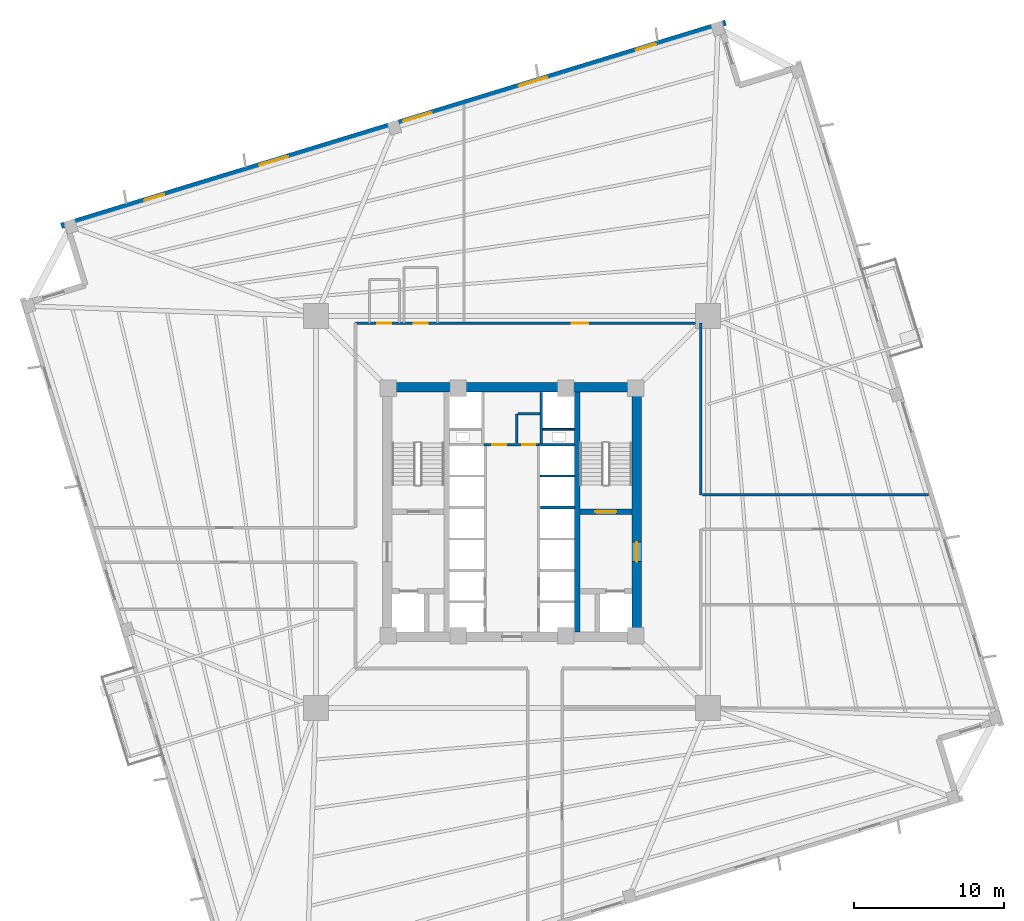
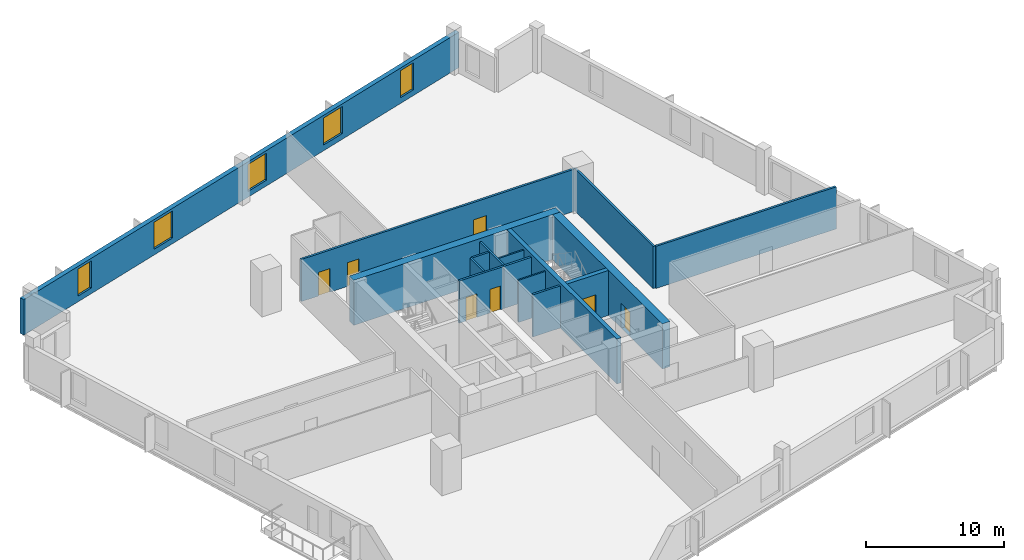
# One storey, part 5 of 9: 16 walls, 7 doors, 5 windows, 12 openings.
"""IFC4 building model written with IfcOpenShell, lengths in metres."""

from ifc_helpers import new_model, si_unit, direction, frame, frame_2d, origin, place, context, subcontext, project, spatial, rectangle, extrude, source, transform, mapped, material, layer, layer_set, type_object, element, fill, save


model = new_model("IFC4")

# Units and contexts
model_context = context("Model", 3, precision=1e-05, world=origin(), true_north=direction((0.0, 1.0)))
body_context = subcontext(model_context, "Body", "Model", "MODEL_VIEW")
ifc_project = project(units=[si_unit("LENGTHUNIT", "METRE"), si_unit("AREAUNIT", "SQUARE_METRE"), si_unit("VOLUMEUNIT", "CUBIC_METRE"), si_unit("PLANEANGLEUNIT", "RADIAN"), si_unit("MASSUNIT", "GRAM", prefix="KILO"), si_unit("THERMODYNAMICTEMPERATUREUNIT", "KELVIN")], contexts=[model_context])

# Site, building, storey
site_placement = place(None, origin())
site = spatial("IfcSite", under=ifc_project, at=site_placement, CompositionType="ELEMENT")
building_placement = place(site_placement, origin())
building = spatial("IfcBuilding", under=site, at=building_placement, Name="Kosmvard Interchange Tower", CompositionType="ELEMENT")
storey_placement = place(building_placement, frame((0.0, 0.0, 95.199951171875)))
storey = spatial("IfcBuildingStorey", under=building, at=storey_placement, Name="L22", CompositionType="ELEMENT", Elevation=95.199951171875)

# Walls
ifc_material_1 = material(Name="Fire-rated gypsum partition system")
ifc_layer_1 = layer(ifc_material_1, 0.159912109375, Name="Fire-rated gypsum partition system")
ifc_layer_set_1 = layer_set([ifc_layer_1], Name="Fire-rated gypsum partition system")
wall_type_1 = type_object("IfcWallType", Name="Core Compartment & Shuttle Lobby Partition 160", PredefinedType="PARTITIONING", material=ifc_layer_set_1)
wall_1_placement = place(storey_placement, frame((1.9599609375, 4.580078125, 0.0), z_axis=(0.0, 0.0, 1.0), x_axis=(0.0, 1.0, 0.0)))
element("IfcWall", 1, at=wall_1_placement, inside=storey, type_object=wall_type_1, Name="L22 North Core East Wall", PredefinedType="PARTITIONING", context=body_context, shape_type="SweptSolid", body=[
    extrude(rectangle(XDim=3.39990234375, YDim=0.159912109375, at=frame_2d((1.699951171875, 0.0))), origin(), (0.0, 0.0, 1.0), 3.739990234375),
])
ifc_material_2 = material(Name="Concrete blockwork masonry", Category="masonry")
ifc_layer_2 = layer(ifc_material_2, 0.159912109375, Name="Concrete blockwork masonry")
ifc_layer_set_2 = layer_set([ifc_layer_2], Name="Concrete blockwork masonry")
wall_type_2 = type_object("IfcWallType", Name="Core Enclosure Split Wall 160", PredefinedType="PARTITIONING", material=ifc_layer_set_2)
wall_2_placement = place(storey_placement, frame((0.320068359375, 4.60009765625, 0.0), z_axis=(0.0, 0.0, 1.0), x_axis=(0.0, 1.0, 0.0)))
element("IfcWall", 2, at=wall_2_placement, inside=storey, type_object=wall_type_2, Name="L22 Core K3 L-Wall 1", PredefinedType="PARTITIONING", context=body_context, shape_type="SweptSolid", body=[
    extrude(rectangle(XDim=1.949951171875, YDim=0.159912109375, at=frame_2d((0.97509765625, 0.0))), origin(), (0.0, 0.0, 1.0), 3.739990234375),
])
wall_3_placement = place(storey_placement, frame((0.39990234375, 6.550048828125, 0.0), z_axis=(0.0, 0.0, 1.0), x_axis=(1.0, 0.0, 0.0)))
element("IfcWall", 3, at=wall_3_placement, inside=storey, type_object=wall_type_2, Name="L22 Core K3 L-Wall 2", PredefinedType="PARTITIONING", context=body_context, shape_type="SweptSolid", body=[
    extrude(rectangle(XDim=1.460205078125, YDim=0.159912109375, at=frame_2d((0.72998046875, 0.0))), origin(), (0.0, 0.0, 1.0), 3.739990234375),
])

# Wall, openings, doors
ifc_layer_3 = layer(ifc_material_1, 0.179931640625, Name="Fire-rated gypsum partition system")
ifc_layer_set_3 = layer_set([ifc_layer_3], Name="Fire-rated gypsum partition system")
wall_type_3 = type_object("IfcWallType", Name="Corridor & Hotel Compartment Partition 180", PredefinedType="PARTITIONING", material=ifc_layer_set_3)
wall_4_placement = place(storey_placement, frame((-1.8798828125, 4.489990234375, 0.0), z_axis=(0.0, 0.0, 1.0), x_axis=(1.0, 0.0, 0.0)))
wall_4 = element("IfcWall", 4, at=wall_4_placement, inside=storey, type_object=wall_type_3, Name="L22 Lift Lobby North Partition", PredefinedType="PARTITIONING", context=body_context, shape_type="SweptSolid", body=[
    extrude(rectangle(XDim=3.759765625, YDim=0.179931640625, at=frame_2d((1.8798828125, 0.0))), origin(), (0.0, 0.0, 1.0), 3.739990234375),
])
opening_1_placement = place(wall_4_placement, frame((0.550048828125, 0.0, 0.0)))
opening_1 = element("IfcOpeningElement", 5, at=opening_1_placement, cuts=wall_4, Name="Opening L22-KD1", PredefinedType="OPENING", context=body_context, shape_type="SweptSolid", body=[
    extrude(rectangle(XDim=0.949951171875, YDim=2.10009765625, at=frame_2d((0.47509765625, 1.050048828125))), frame((0.0, 0.10009765625, 0.0), z_axis=(0.0, -1.0, 0.0), x_axis=(1.0, 0.0, 0.0)), (0.0, 0.0, 1.0), 0.199951171875),
])
opening_2_placement = place(wall_4_placement, frame((2.56005859375, 0.0, 0.0)))
opening_2 = element("IfcOpeningElement", 6, at=opening_2_placement, cuts=wall_4, Name="Opening L22-KD2", PredefinedType="OPENING", context=body_context, shape_type="SweptSolid", body=[
    extrude(rectangle(XDim=0.8798828125, YDim=2.10009765625, at=frame_2d((0.43994140625, 1.050048828125))), frame((0.0, 0.10009765625, 0.0), z_axis=(0.0, -1.0, 0.0), x_axis=(1.0, 0.0, 0.0)), (0.0, 0.0, 1.0), 0.199951171875),
])
ifc_material_3 = material(Name="Painted fire-rated timber leaf", Category="wood")
door_type_1 = type_object("IfcDoorType", Name="Core Service Fire Door 950x2100 EI30", OperationType="NOTDEFINED", PredefinedType="DOOR", material=ifc_material_3)
shared_shape_1 = source(origin(), body_context, "Body", "SweptSolid", [
    extrude(rectangle(XDim=0.949951171875, YDim=2.10009765625, at=frame_2d((0.47509765625, 1.050048828125))), frame((0.0, 0.02490234375, 0.0), z_axis=(0.0, -1.0, 0.0), x_axis=(1.0, 0.0, 0.0)), (0.0, 0.0, 1.0), 0.050048828125),
])
door_1_placement = place(opening_1_placement, origin())
door_1 = element("IfcDoor", 7, at=door_1_placement, inside=storey, type_object=door_type_1, Name="L22 Core Archive Store Door", OperationType="SINGLE_SWING_LEFT", OverallHeight=2.10009765625, OverallWidth=0.949951171875, PredefinedType="DOOR", context=body_context, shape_type="MappedRepresentation", body=[
    mapped(shared_shape_1, transform((0.0, 0.0, 0.0), scale=1.0)),
])
fill(opening_1, door_1)
door_type_2 = type_object("IfcDoorType", Name="Core Cupboard Fire Door 880x2100 EI30", OperationType="NOTDEFINED", PredefinedType="DOOR", material=ifc_material_3)
shared_shape_2 = source(origin(), body_context, "Body", "SweptSolid", [
    extrude(rectangle(XDim=0.8798828125, YDim=2.10009765625, at=frame_2d((0.43994140625, 1.050048828125))), frame((0.0, 0.02490234375, 0.0), z_axis=(0.0, -1.0, 0.0), x_axis=(1.0, 0.0, 0.0)), (0.0, 0.0, 1.0), 0.050048828125),
])
door_2_placement = place(opening_2_placement, origin())
door_2 = element("IfcDoor", 8, at=door_2_placement, inside=storey, type_object=door_type_2, Name="L22 Core Supplies Cupboard Door", OperationType="SINGLE_SWING_RIGHT", OverallHeight=2.10009765625, OverallWidth=0.8798828125, PredefinedType="DOOR", context=body_context, shape_type="MappedRepresentation", body=[
    mapped(shared_shape_2, transform((0.0, 0.0, 0.0), scale=1.0)),
])
fill(opening_2, door_2)

wall_5_placement = place(storey_placement, frame((-10.449951171875, 12.60009765625, 0.0), z_axis=(0.0, 0.0, 1.0), x_axis=(1.0, 0.0, 0.0)))
wall_5 = element("IfcWall", 9, at=wall_5_placement, inside=storey, type_object=wall_type_3, Name="L22 Corridor Wall CN", PredefinedType="PARTITIONING", context=body_context, shape_type="SweptSolid", body=[
    extrude(rectangle(XDim=23.050048828125, YDim=0.179931640625, at=frame_2d((11.52490234375, 0.0))), origin(), (0.0, 0.0, 1.0), 3.739990234375),
])
opening_3_placement = place(wall_5_placement, frame((1.455078125, 0.0, 0.0)))
opening_3 = element("IfcOpeningElement", 10, at=opening_3_placement, cuts=wall_5, Name="Opening L22-D01", PredefinedType="OPENING", context=body_context, shape_type="SweptSolid", body=[
    extrude(rectangle(XDim=0.949951171875, YDim=2.10009765625, at=frame_2d((0.47509765625, 1.050048828125))), frame((0.0, 0.10009765625, 0.0), z_axis=(0.0, -1.0, 0.0), x_axis=(1.0, 0.0, 0.0)), (0.0, 0.0, 1.0), 0.199951171875),
])
opening_4_placement = place(wall_5_placement, frame((3.879150390625, 0.0, 0.0)))
opening_4 = element("IfcOpeningElement", 11, at=opening_4_placement, cuts=wall_5, Name="Opening L22-D02", PredefinedType="OPENING", context=body_context, shape_type="SweptSolid", body=[
    extrude(rectangle(XDim=0.949951171875, YDim=2.10009765625, at=frame_2d((0.47509765625, 1.050048828125))), frame((0.0, 0.10009765625, 0.0), z_axis=(0.0, -1.0, 0.0), x_axis=(1.0, 0.0, 0.0)), (0.0, 0.0, 1.0), 0.199951171875),
])
opening_5_placement = place(wall_5_placement, frame((14.435546875, 0.0, 0.0)))
opening_5 = element("IfcOpeningElement", 12, at=opening_5_placement, cuts=wall_5, Name="Opening L22-D04", PredefinedType="OPENING", context=body_context, shape_type="SweptSolid", body=[
    extrude(rectangle(XDim=1.10009765625, YDim=2.199951171875, at=frame_2d((0.550048828125, 1.10009765625))), frame((0.0, 0.10009765625, 0.0), z_axis=(0.0, -1.0, 0.0), x_axis=(1.0, 0.0, 0.0)), (0.0, 0.0, 1.0), 0.199951171875),
])
ifc_material_4 = material(Name="Laminated moisture-resistant timber", Category="wood")
door_type_3 = type_object("IfcDoorType", Name="Accessible Washroom Door 950x2100", OperationType="NOTDEFINED", PredefinedType="DOOR", material=ifc_material_4)
door_3_placement = place(opening_3_placement, origin())
door_3 = element("IfcDoor", 13, at=door_3_placement, inside=storey, type_object=door_type_3, Name="L22 Accessible Toilet Door", OperationType="SINGLE_SWING_LEFT", OverallHeight=2.10009765625, OverallWidth=0.949951171875, PredefinedType="DOOR", context=body_context, shape_type="MappedRepresentation", body=[
    mapped(shared_shape_1, transform((0.0, 0.0, 0.0), scale=1.0)),
])
fill(opening_3, door_3)
door_4_placement = place(opening_4_placement, origin())
door_4 = element("IfcDoor", 14, at=door_4_placement, inside=storey, type_object=door_type_3, Name="L22 Public Floor Washroom Door", OperationType="SINGLE_SWING_RIGHT", OverallHeight=2.10009765625, OverallWidth=0.949951171875, PredefinedType="DOOR", context=body_context, shape_type="MappedRepresentation", body=[
    mapped(shared_shape_1, transform((0.0, 0.0, 0.0), scale=1.0)),
])
fill(opening_4, door_4)
ifc_material_5 = material(Name="Engineered oak fire-rated timber", Category="wood")
door_type_4 = type_object("IfcDoorType", Name="Office Suite Entrance Door 1100x2200 FD30S", OperationType="NOTDEFINED", PredefinedType="DOOR", material=ifc_material_5)
shared_shape_3 = source(origin(), body_context, "Body", "SweptSolid", [
    extrude(rectangle(XDim=1.10009765625, YDim=2.199951171875, at=frame_2d((0.550048828125, 1.10009765625))), frame((0.0, 0.02490234375, 0.0), z_axis=(0.0, -1.0, 0.0), x_axis=(1.0, 0.0, 0.0)), (0.0, 0.0, 1.0), 0.050048828125),
])
door_5_placement = place(opening_5_placement, origin())
door_5 = element("IfcDoor", 15, at=door_5_placement, inside=storey, type_object=door_type_4, Name="L22 Corporate Media Club Door", OperationType="SINGLE_SWING_RIGHT", OverallHeight=2.199951171875, OverallWidth=1.10009765625, PredefinedType="DOOR", context=body_context, shape_type="MappedRepresentation", body=[
    mapped(shared_shape_3, transform((0.0, 0.0, 0.0), scale=1.0)),
])
fill(opening_5, door_5)

# Walls
wall_6_placement = place(storey_placement, frame((12.60009765625, 1.14990234375, 0.0), z_axis=(0.0, 0.0, 1.0), x_axis=(0.0, 1.0, 0.0)))
element("IfcWall", 16, at=wall_6_placement, inside=storey, type_object=wall_type_3, Name="L22 Corridor Wall CEN", PredefinedType="PARTITIONING", context=body_context, shape_type="SweptSolid", body=[
    extrude(rectangle(XDim=11.4501953125, YDim=0.179931640625, at=frame_2d((5.72509765625, 0.0))), origin(), (0.0, 0.0, 1.0), 3.739990234375),
])
wall_7_placement = place(storey_placement, frame((12.699951171875, 1.14990234375, 0.0), z_axis=(0.0, 0.0, 1.0), x_axis=(1.0, 0.0, 0.0)))
element("IfcWall", 17, at=wall_7_placement, inside=storey, type_object=wall_type_3, Name="L22 Corridor Wall SEN", PredefinedType="PARTITIONING", context=body_context, shape_type="SweptSolid", body=[
    extrude(rectangle(XDim=15.1142578125, YDim=0.179931640625, at=frame_2d((7.55712890625, 0.0))), origin(), (0.0, 0.0, 1.0), 3.739990234375),
])

# Wall, openings, windows
ifc_material_6 = material(Name="Precast concrete C45/55", Category="concrete")
ifc_layer_4 = layer(ifc_material_6, 0.3798828125, Name="Precast concrete C45/55")
ifc_layer_set_4 = layer_set([ifc_layer_4], Name="Precast concrete C45/55")
wall_type_4 = type_object("IfcWallType", Name="Lower Tower Precast Pier Wall 380 C45/55", PredefinedType="STANDARD", material=ifc_layer_set_4)
wall_8_placement = place(storey_placement, frame((14.26513671875, 32.65771484375, 0.0), z_axis=(0.0, 0.0, 1.0), x_axis=(-0.956304320851, -0.292373127906, 0.0)))
wall_8 = element("IfcWall", 18, at=wall_8_placement, inside=storey, type_object=wall_type_4, Name="L22 Precast Facade Wall F-N", PredefinedType="STANDARD", context=body_context, shape_type="SweptSolid", body=[
    extrude(rectangle(XDim=46.380126953125, YDim=0.3798828125, at=frame_2d((23.18994140625, 0.0))), origin(), (0.0, 0.0, 1.0), 3.14013671875),
])
opening_6_placement = place(wall_8_placement, frame((4.865478515625, 0.0, 0.510009765625)))
opening_6 = element("IfcOpeningElement", 19, at=opening_6_placement, cuts=wall_8, Name="Opening L22-W11", PredefinedType="OPENING", context=body_context, shape_type="SweptSolid", body=[
    extrude(rectangle(XDim=1.39990234375, YDim=2.39990234375, at=frame_2d((0.699951171875, 1.199951171875))), frame((0.0, 0.199951171875, 0.0), z_axis=(0.0, -1.0, 0.0), x_axis=(1.0, 0.0, 0.0)), (0.0, 0.0, 1.0), 0.39990234375),
])
opening_7_placement = place(wall_8_placement, frame((12.4501953125, 0.0, 0.510009765625)))
opening_7 = element("IfcOpeningElement", 20, at=opening_7_placement, cuts=wall_8, Name="Opening L22-W12", PredefinedType="OPENING", context=body_context, shape_type="SweptSolid", body=[
    extrude(rectangle(XDim=2.0, YDim=2.39990234375, at=frame_2d((1.0, 1.199951171875))), frame((0.0, 0.199951171875, 0.0), z_axis=(0.0, -1.0, 0.0), x_axis=(1.0, 0.0, 0.0)), (0.0, 0.0, 1.0), 0.39990234375),
])
opening_8_placement = place(wall_8_placement, frame((20.512451171875, 0.0, 0.510009765625)))
opening_8 = element("IfcOpeningElement", 21, at=opening_8_placement, cuts=wall_8, Name="Opening L22-W13", PredefinedType="OPENING", context=body_context, shape_type="SweptSolid", body=[
    extrude(rectangle(XDim=2.0, YDim=2.39990234375, at=frame_2d((1.0, 1.199951171875))), frame((0.0, 0.199951171875, 0.0), z_axis=(0.0, -1.0, 0.0), x_axis=(1.0, 0.0, 0.0)), (0.0, 0.0, 1.0), 0.39990234375),
])
opening_9_placement = place(wall_8_placement, frame((30.538330078125, 0.0, 0.510009765625)))
opening_9 = element("IfcOpeningElement", 22, at=opening_9_placement, cuts=wall_8, Name="Opening L22-W14", PredefinedType="OPENING", context=body_context, shape_type="SweptSolid", body=[
    extrude(rectangle(XDim=2.0, YDim=2.39990234375, at=frame_2d((1.0, 1.199951171875))), frame((0.0, 0.199951171875, 0.0), z_axis=(0.0, -1.0, 0.0), x_axis=(1.0, 0.0, 0.0)), (0.0, 0.0, 1.0), 0.39990234375),
])
opening_10_placement = place(wall_8_placement, frame((39.186767578125, 0.0, 0.510009765625)))
opening_10 = element("IfcOpeningElement", 23, at=opening_10_placement, cuts=wall_8, Name="Opening L22-W15", PredefinedType="OPENING", context=body_context, shape_type="SweptSolid", body=[
    extrude(rectangle(XDim=1.39990234375, YDim=2.39990234375, at=frame_2d((0.699951171875, 1.199951171875))), frame((0.0, 0.199951171875, 0.0), z_axis=(0.0, -1.0, 0.0), x_axis=(1.0, 0.0, 0.0)), (0.0, 0.0, 1.0), 0.39990234375),
])
ifc_material_7 = material(Name="Low-E solar-control double glazing", Category="glass")
window_type_1 = type_object("IfcWindowType", Name="Notched Corner Feature Window 1400x2400", PartitioningType="SINGLE_PANEL", PredefinedType="WINDOW", material=ifc_material_7)
shared_shape_4 = source(origin(), body_context, "Body", "SweptSolid", [
    extrude(rectangle(XDim=1.39990234375, YDim=2.39990234375, at=frame_2d((0.699951171875, 1.199951171875))), frame((0.0, 0.030029296875, 0.0), z_axis=(0.0, -1.0, 0.0), x_axis=(1.0, 0.0, 0.0)), (0.0, 0.0, 1.0), 0.06005859375),
])
window_1_placement = place(opening_6_placement, origin())
window_1 = element("IfcWindow", 24, at=window_1_placement, inside=storey, type_object=window_type_1, Name="L22 Facade Punched Window 11", OverallHeight=2.39990234375, OverallWidth=1.39990234375, PartitioningType="SINGLE_PANEL", PredefinedType="WINDOW", context=body_context, shape_type="MappedRepresentation", body=[
    mapped(shared_shape_4, transform((0.0, 0.0, 0.0), scale=1.0)),
])
fill(opening_6, window_1)
window_2_placement = place(opening_10_placement, origin())
window_2 = element("IfcWindow", 25, at=window_2_placement, inside=storey, type_object=window_type_1, Name="L22 Facade Punched Window 15", OverallHeight=2.39990234375, OverallWidth=1.39990234375, PartitioningType="SINGLE_PANEL", PredefinedType="WINDOW", context=body_context, shape_type="MappedRepresentation", body=[
    mapped(shared_shape_4, transform((0.0, 0.0, 0.0), scale=1.0)),
])
fill(opening_10, window_2)
window_type_2 = type_object("IfcWindowType", Name="Zone 2 Office Punched Window 2000x2400", PartitioningType="SINGLE_PANEL", PredefinedType="WINDOW", material=ifc_material_7)
shared_shape_5 = source(origin(), body_context, "Body", "SweptSolid", [
    extrude(rectangle(XDim=2.0, YDim=2.39990234375, at=frame_2d((1.0, 1.199951171875))), frame((0.0, 0.030029296875, 0.0), z_axis=(0.0, -1.0, 0.0), x_axis=(1.0, 0.0, 0.0)), (0.0, 0.0, 1.0), 0.06005859375),
])
window_3_placement = place(opening_7_placement, origin())
window_3 = element("IfcWindow", 26, at=window_3_placement, inside=storey, type_object=window_type_2, Name="L22 Facade Punched Window 12", OverallHeight=2.39990234375, OverallWidth=2.0, PartitioningType="SINGLE_PANEL", PredefinedType="WINDOW", context=body_context, shape_type="MappedRepresentation", body=[
    mapped(shared_shape_5, transform((0.0, 0.0, 0.0), scale=1.0)),
])
fill(opening_7, window_3)
window_4_placement = place(opening_8_placement, origin())
window_4 = element("IfcWindow", 27, at=window_4_placement, inside=storey, type_object=window_type_2, Name="L22 Facade Punched Window 13", OverallHeight=2.39990234375, OverallWidth=2.0, PartitioningType="SINGLE_PANEL", PredefinedType="WINDOW", context=body_context, shape_type="MappedRepresentation", body=[
    mapped(shared_shape_5, transform((0.0, 0.0, 0.0), scale=1.0)),
])
fill(opening_8, window_4)
window_5_placement = place(opening_9_placement, origin())
window_5 = element("IfcWindow", 28, at=window_5_placement, inside=storey, type_object=window_type_2, Name="L22 Facade Punched Window 14", OverallHeight=2.39990234375, OverallWidth=2.0, PartitioningType="SINGLE_PANEL", PredefinedType="WINDOW", context=body_context, shape_type="MappedRepresentation", body=[
    mapped(shared_shape_5, transform((0.0, 0.0, 0.0), scale=1.0)),
])
fill(opening_9, window_5)

# Wall
ifc_material_8 = material(Name="Concrete C70/85", Category="concrete")
ifc_layer_5 = layer(ifc_material_8, 0.64990234375, Name="Concrete C70/85")
ifc_layer_set_5 = layer_set([ifc_layer_5], Name="Concrete C70/85")
wall_type_5 = type_object("IfcWallType", Name="Mid Core Shear Wall 650 C70/85", PredefinedType="SHEAR", material=ifc_layer_set_5)
wall_9_placement = place(storey_placement, frame((-8.64990234375, 8.324951171875, 0.0), z_axis=(0.0, 0.0, 1.0), x_axis=(1.0, 0.0, 0.0)))
element("IfcWall", 29, at=wall_9_placement, inside=storey, type_object=wall_type_5, Name="L22 Core Shear Wall CW-N", PredefinedType="SHEAR", context=body_context, shape_type="SweptSolid", body=[
    extrude(rectangle(XDim=17.2998046875, YDim=0.64990234375, at=frame_2d((8.64990234375, 0.0))), origin(), (0.0, 0.0, 1.0), 4.0),
])

# Wall, opening, door
wall_10_placement = place(storey_placement, frame((8.324951171875, -8.0, 0.0), z_axis=(0.0, 0.0, 1.0), x_axis=(0.0, 1.0, 0.0)))
wall_10 = element("IfcWall", 30, at=wall_10_placement, inside=storey, type_object=wall_type_5, Name="L22 Core Shear Wall CW-E", PredefinedType="SHEAR", context=body_context, shape_type="SweptSolid", body=[
    extrude(rectangle(XDim=16.0, YDim=0.64990234375, at=frame_2d((8.0, 0.0))), origin(), (0.0, 0.0, 1.0), 4.0),
])
opening_11_placement = place(wall_10_placement, frame((4.68994140625, 0.0, 0.0)))
opening_11 = element("IfcOpeningElement", 31, at=opening_11_placement, cuts=wall_10, Name="Opening L22-FD2", PredefinedType="OPENING", context=body_context, shape_type="SweptSolid", body=[
    extrude(rectangle(XDim=1.300048828125, YDim=2.199951171875, at=frame_2d((0.64990234375, 1.10009765625))), frame((0.0, 0.3349609375, 0.0), z_axis=(0.0, -1.0, 0.0), x_axis=(1.0, 0.0, 0.0)), (0.0, 0.0, 1.0), 0.669921875),
])
ifc_material_9 = material(Name="Painted fire-rated steel leaf", Category="steel")
door_type_5 = type_object("IfcDoorType", Name="Firefighting Lobby Door 1300x2200 EI60", OperationType="NOTDEFINED", PredefinedType="DOOR", material=ifc_material_9)
shared_shape_6 = source(origin(), body_context, "Body", "SweptSolid", [
    extrude(rectangle(XDim=1.300048828125, YDim=2.199951171875, at=frame_2d((0.64990234375, 1.10009765625))), frame((0.0, 0.02490234375, 0.0), z_axis=(0.0, -1.0, 0.0), x_axis=(1.0, 0.0, 0.0)), (0.0, 0.0, 1.0), 0.050048828125),
])
door_6_placement = place(opening_11_placement, origin())
door_6 = element("IfcDoor", 32, at=door_6_placement, inside=storey, type_object=door_type_5, Name="L22 Firefighting Lobby East Door", OperationType="SINGLE_SWING_RIGHT", OverallHeight=2.199951171875, OverallWidth=1.300048828125, PredefinedType="DOOR", context=body_context, shape_type="MappedRepresentation", body=[
    mapped(shared_shape_6, transform((0.0, 0.0, 0.0), scale=1.0)),
])
fill(opening_11, door_6)

# Walls
ifc_layer_6 = layer(ifc_material_2, 0.179931640625, Name="Concrete blockwork masonry")
ifc_layer_set_6 = layer_set([ifc_layer_6], Name="Concrete blockwork masonry")
wall_type_6 = type_object("IfcWallType", Name="Riser & Lift Bank Divider Wall 180", PredefinedType="PARTITIONING", material=ifc_layer_set_6)
for number, where, z_axis, x_axis, name in (
    (33, (1.889892578125, 0.300048828125, 0.0), (0.0, 0.0, 1.0), (1.0, 0.0, 0.0), "L22 East Bank Divider BD2"),
    (34, (1.889892578125, 4.489990234375, 0.0), (0.0, 0.0, 1.0), (1.0, 0.0, 0.0), "L22 East Bank Divider BD3"),
):
    element("IfcWall", number, at=place(storey_placement, frame(where, z_axis=z_axis, x_axis=x_axis)), inside=storey, type_object=wall_type_6, Name=name, PredefinedType="PARTITIONING", context=body_context, shape_type="SweptSolid", body=[
        extrude(rectangle(XDim=2.280029296875, YDim=0.179931640625, at=frame_2d((1.14013671875, 0.0))), origin(), (0.0, 0.0, 1.0), 3.739990234375),
    ])
ifc_material_10 = material(Name="Fire-rated gypsum shaftwall system")
ifc_layer_7 = layer(ifc_material_10, 0.1201171875, Name="Fire-rated gypsum shaftwall system")
ifc_layer_set_7 = layer_set([ifc_layer_7], Name="Fire-rated gypsum shaftwall system")
wall_type_7 = type_object("IfcWallType", Name="Shaft & Riser Fire Partition 120 EI60", PredefinedType="PARTITIONING", material=ifc_layer_set_7)
wall_11_placement = place(storey_placement, frame((1.89990234375, 2.39990234375, 0.0), z_axis=(0.0, 0.0, 1.0), x_axis=(1.0, 0.0, 0.0)))
element("IfcWall", 35, at=wall_11_placement, inside=storey, type_object=wall_type_7, Name="L22 Shaft Divider PL-H3", PredefinedType="PARTITIONING", context=body_context, shape_type="SweptSolid", body=[
    extrude(rectangle(XDim=2.260009765625, YDim=0.1201171875, at=frame_2d((1.1298828125, 0.0))), origin(), (0.0, 0.0, 1.0), 3.739990234375),
])
wall_12_placement = place(storey_placement, frame((2.06005859375, 5.52001953125, 0.0), z_axis=(0.0, 0.0, 1.0), x_axis=(1.0, 0.0, 0.0)))
element("IfcWall", 36, at=wall_12_placement, inside=storey, type_object=wall_type_7, Name="L22 Riser Shaft Divider E", PredefinedType="PARTITIONING", context=body_context, shape_type="SweptSolid", body=[
    extrude(rectangle(XDim=2.099853515625, YDim=0.1201171875, at=frame_2d((1.0498046875, 0.0))), origin(), (0.0, 0.0, 1.0), 3.739990234375),
])
ifc_material_11 = material(Name="Concrete C60/75", Category="concrete")
ifc_layer_8 = layer(ifc_material_11, 0.360107421875, Name="Concrete C60/75")
ifc_layer_set_8 = layer_set([ifc_layer_8], Name="Concrete C60/75")
wall_type_8 = type_object("IfcWallType", Name="Stair & Lift Shaft Shear Wall 360 C60/75", PredefinedType="SHEAR", material=ifc_layer_set_8)
wall_13_placement = place(storey_placement, frame((4.360107421875, -8.0, 0.0), z_axis=(0.0, 0.0, 1.0), x_axis=(0.0, 1.0, 0.0)))
element("IfcWall", 37, at=wall_13_placement, inside=storey, type_object=wall_type_8, Name="L22 Shaft Shear Wall SW-E", PredefinedType="SHEAR", context=body_context, shape_type="SweptSolid", body=[
    extrude(rectangle(XDim=16.0, YDim=0.360107421875, at=frame_2d((8.0, 0.0))), origin(), (0.0, 0.0, 1.0), 4.0),
])

# Wall, opening, door
wall_14_placement = place(storey_placement, frame((4.5400390625, 0.02001953125, 0.0), z_axis=(0.0, 0.0, 1.0), x_axis=(1.0, 0.0, 0.0)))
wall_14 = element("IfcWall", 38, at=wall_14_placement, inside=storey, type_object=wall_type_8, Name="L22 Shaft Shear Wall SW-ST2", PredefinedType="SHEAR", context=body_context, shape_type="SweptSolid", body=[
    extrude(rectangle(XDim=3.4599609375, YDim=0.360107421875, at=frame_2d((1.72998046875, 0.0))), origin(), (0.0, 0.0, 1.0), 4.0),
])
opening_12_placement = place(wall_14_placement, frame((1.030029296875, 0.0, 0.0)))
opening_12 = element("IfcOpeningElement", 39, at=opening_12_placement, cuts=wall_14, Name="Opening L22-SD2", PredefinedType="OPENING", context=body_context, shape_type="SweptSolid", body=[
    extrude(rectangle(XDim=1.39990234375, YDim=2.199951171875, at=frame_2d((0.699951171875, 1.10009765625))), frame((0.0, 0.18994140625, 0.0), z_axis=(0.0, -1.0, 0.0), x_axis=(1.0, 0.0, 0.0)), (0.0, 0.0, 1.0), 0.380126953125),
])
door_type_6 = type_object("IfcDoorType", Name="Protected Stair Door 1400x2200 FD60S", OperationType="NOTDEFINED", PredefinedType="DOOR", material=ifc_material_9)
shared_shape_7 = source(origin(), body_context, "Body", "SweptSolid", [
    extrude(rectangle(XDim=1.39990234375, YDim=2.199951171875, at=frame_2d((0.699951171875, 1.10009765625))), frame((0.0, 0.02490234375, 0.0), z_axis=(0.0, -1.0, 0.0), x_axis=(1.0, 0.0, 0.0)), (0.0, 0.0, 1.0), 0.050048828125),
])
door_7_placement = place(opening_12_placement, origin())
door_7 = element("IfcDoor", 40, at=door_7_placement, inside=storey, type_object=door_type_6, Name="L22 Stair ST-2 Enclosure Door", OperationType="SINGLE_SWING_RIGHT", OverallHeight=2.199951171875, OverallWidth=1.39990234375, PredefinedType="DOOR", context=body_context, shape_type="MappedRepresentation", body=[
    mapped(shared_shape_7, transform((0.0, 0.0, 0.0), scale=1.0)),
])
fill(opening_12, door_7)

save(model, "model.ifc")
